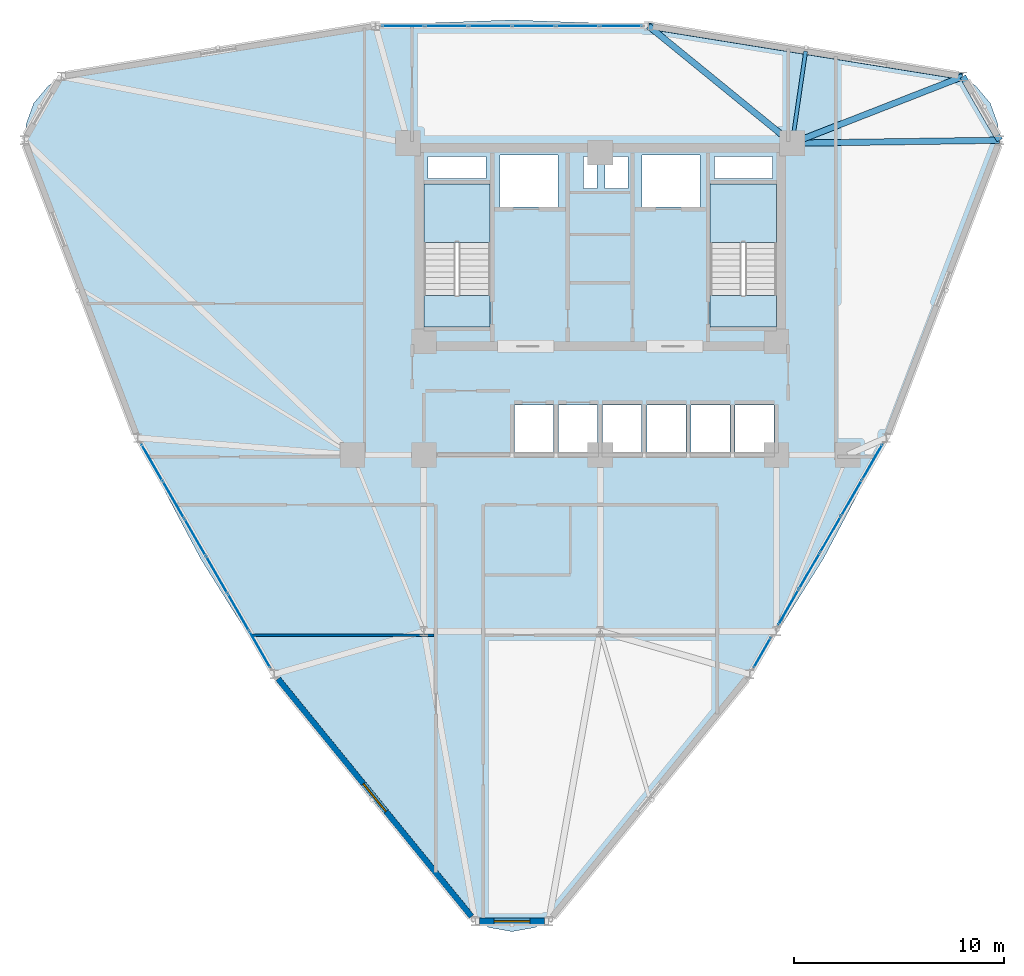
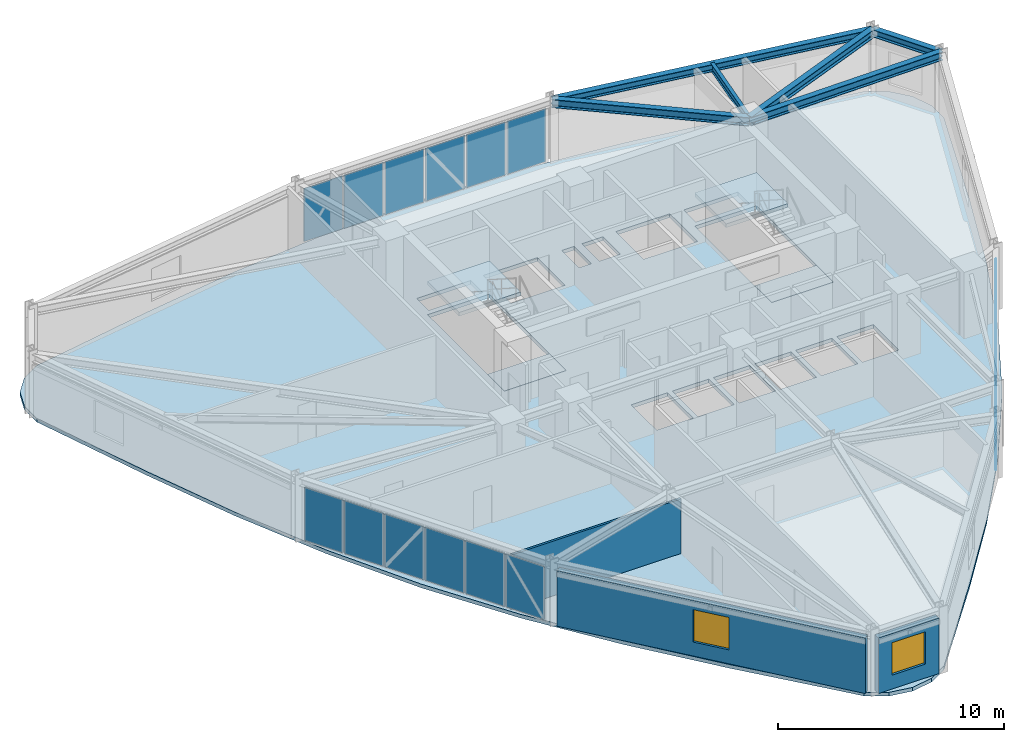
# One storey, part 9 of 15: 18 plates, 6 beams, 5 slabs, 3 walls, 2 windows, 2 openings, 6 elements without a shape of their own.
"""IFC4 building model written with IfcOpenShell, lengths in metres."""

from ifc_helpers import new_model, si_unit, derived_unit, direction, frame, frame_2d, origin, origin_2d, place, context, subcontext, project, spatial, polyline, rectangle, i_section, outline, extrude, source, transform, mapped, material, layer, layer_set, material_profile, profile_set, type_object, element, fill, aggregate, save


model = new_model("IFC4")

# Units and contexts
model_context = context("Model", 3, precision=1e-05, world=origin(), true_north=direction((0.0, 1.0)))
body_context = subcontext(model_context, "Body", "Model", "MODEL_VIEW")
ifc_project = project(units=[si_unit("LENGTHUNIT", "METRE"), si_unit("AREAUNIT", "SQUARE_METRE"), si_unit("VOLUMEUNIT", "CUBIC_METRE"), si_unit("PLANEANGLEUNIT", "RADIAN"), si_unit("MASSUNIT", "GRAM", prefix="KILO"), derived_unit("THERMALTRANSMITTANCEUNIT", [(si_unit("POWERUNIT", "WATT"), 1), (si_unit("LENGTHUNIT", "METRE"), -2), (si_unit("THERMODYNAMICTEMPERATUREUNIT", "KELVIN"), -1)])], contexts=[model_context])

# Site, building, storey
site_placement = place(None, origin())
site = spatial("IfcSite", under=ifc_project, at=site_placement, CompositionType="ELEMENT")
building_placement = place(site_placement, origin())
building = spatial("IfcBuilding", under=site, at=building_placement, Name="Korsvarv Bourse and Concert Hall", CompositionType="ELEMENT")
storey_placement = place(building_placement, frame((0.0, 0.0, 147.0)))
storey = spatial("IfcBuildingStorey", under=building, at=storey_placement, Name="L37", CompositionType="ELEMENT", Elevation=147.0)

# Beams
ifc_material_1 = material(Name="Steel S355", Category="steel")
ifc_material_profile_1 = material_profile(ifc_material_1, i_section(OverallWidth=0.300048828125, OverallDepth=0.39990234375, WebThickness=0.013427734375, FlangeThickness=0.02392578125, FilletRadius=0.02099609375, at=origin_2d()), Name="HEB 400")
ifc_profile_set_1 = profile_set([ifc_material_profile_1], Name="Steel S355")
beam_type_1 = type_object("IfcBeamType", Name="BM-HEB400", PredefinedType="SPANDREL", material=ifc_profile_set_1)
shared_shape_1 = source(origin(), body_context, "Body", "SweptSolid", [
    extrude(i_section(OverallWidth=0.300048828125, OverallDepth=0.39990234375, WebThickness=0.013427734375, FlangeThickness=0.02392578125, FilletRadius=0.02099609375, at=origin_2d()), origin(), (0.0, 0.0, 1.0), 3.505859375),
])
beam_1_placement = place(storey_placement, frame((55.033935546875, 47.39013671875, 3.199951171875), z_axis=(-0.500003763204, 0.866023231087, 0.0), x_axis=(-0.866023231087, -0.500003763204, 0.0)))
element("IfcBeam", 1, at=beam_1_placement, inside=storey, type_object=beam_type_1, Name="L37 beam B-09", PredefinedType="SPANDREL", context=body_context, shape_type="MappedRepresentation", body=[
    mapped(shared_shape_1, transform((0.0, 0.0, 0.0), scale=1.0)),
])
shared_shape_2 = source(origin(), body_context, "Body", "SweptSolid", [
    extrude(i_section(OverallWidth=0.300048828125, OverallDepth=0.39990234375, WebThickness=0.013427734375, FlangeThickness=0.02392578125, FilletRadius=0.02099609375, at=origin_2d()), origin(), (0.0, 0.0, 1.0), 15.1728515625),
])
beam_2_placement = place(storey_placement, frame((53.281005859375, 50.42626953125, 3.199951171875), z_axis=(-0.987303302505, 0.158846431694, 0.0), x_axis=(-0.158846431694, -0.987303302505, 0.0)))
element("IfcBeam", 2, at=beam_2_placement, inside=storey, type_object=beam_type_1, Name="L37 beam B-09", PredefinedType="SPANDREL", context=body_context, shape_type="MappedRepresentation", body=[
    mapped(shared_shape_2, transform((0.0, 0.0, 0.0), scale=1.0)),
])
ifc_material_profile_2 = material_profile(ifc_material_1, i_section(OverallWidth=0.300048828125, OverallDepth=0.449951171875, WebThickness=0.013916015625, FlangeThickness=0.02587890625, FilletRadius=0.02099609375, at=origin_2d()), Name="HEB 450")
ifc_profile_set_2 = profile_set([ifc_material_profile_2], Name="Steel S355")
beam_type_2 = type_object("IfcBeamType", Name="BM-HEB450", PredefinedType="SPANDREL", material=ifc_profile_set_2)
shared_shape_3 = source(origin(), body_context, "Body", "SweptSolid", [
    extrude(i_section(OverallWidth=0.300048828125, OverallDepth=0.449951171875, WebThickness=0.013916015625, FlangeThickness=0.02587890625, FilletRadius=0.02099609375, at=origin_2d()), origin(), (0.0, 0.0, 1.0), 9.885009765625),
])
beam_3_placement = place(storey_placement, frame((55.033935546875, 47.39013671875, 3.175048828125), z_axis=(-0.999899506023, -0.014176665838, 0.0), x_axis=(0.014176665838, -0.999899506023, 0.0)))
element("IfcBeam", 3, at=beam_3_placement, inside=storey, type_object=beam_type_2, Name="L37 beam B-08", PredefinedType="SPANDREL", context=body_context, shape_type="MappedRepresentation", body=[
    mapped(shared_shape_3, transform((0.0, 0.0, 0.0), scale=1.0)),
])
shared_shape_4 = source(origin(), body_context, "Body", "SweptSolid", [
    extrude(i_section(OverallWidth=0.300048828125, OverallDepth=0.449951171875, WebThickness=0.013916015625, FlangeThickness=0.02587890625, FilletRadius=0.02099609375, at=origin_2d()), origin(), (0.0, 0.0, 1.0), 8.7294921875),
])
beam_4_placement = place(storey_placement, frame((53.281005859375, 50.42626953125, 3.175048828125), z_axis=(-0.931455127945, -0.363856214219, 0.0), x_axis=(0.363856214219, -0.931455127945, 0.0)))
element("IfcBeam", 4, at=beam_4_placement, inside=storey, type_object=beam_type_2, Name="L37 beam B-08", PredefinedType="SPANDREL", context=body_context, shape_type="MappedRepresentation", body=[
    mapped(shared_shape_4, transform((0.0, 0.0, 0.0), scale=1.0)),
])
shared_shape_5 = source(origin(), body_context, "Body", "SweptSolid", [
    extrude(i_section(OverallWidth=0.300048828125, OverallDepth=0.449951171875, WebThickness=0.013916015625, FlangeThickness=0.02587890625, FilletRadius=0.02099609375, at=origin_2d()), origin(), (0.0, 0.0, 1.0), 8.83837890625),
])
beam_5_placement = place(storey_placement, frame((38.30078125, 52.83642578125, 3.175048828125), z_axis=(0.774921273398, -0.632057766375, 0.0), x_axis=(0.632057766375, 0.774921273398, 0.0)))
element("IfcBeam", 5, at=beam_5_placement, inside=storey, type_object=beam_type_2, Name="L37 beam B-08", PredefinedType="SPANDREL", context=body_context, shape_type="MappedRepresentation", body=[
    mapped(shared_shape_5, transform((0.0, 0.0, 0.0), scale=1.0)),
])
ifc_material_profile_3 = material_profile(ifc_material_1, i_section(OverallWidth=0.179931640625, OverallDepth=0.39990234375, WebThickness=0.008544921875, FlangeThickness=0.013427734375, FilletRadius=0.02099609375, at=origin_2d()), Name="IPE 400")
ifc_profile_set_3 = profile_set([ifc_material_profile_3], Name="Steel S355")
beam_type_3 = type_object("IfcBeamType", Name="BM-IPE400", PredefinedType="JOIST", material=ifc_profile_set_3)
shared_shape_6 = source(origin(), body_context, "Body", "SweptSolid", [
    extrude(i_section(OverallWidth=0.179931640625, OverallDepth=0.39990234375, WebThickness=0.008544921875, FlangeThickness=0.013427734375, FilletRadius=0.02099609375, at=origin_2d()), origin(), (0.0, 0.0, 1.0), 4.427978515625),
])
beam_6_placement = place(storey_placement, frame((45.791015625, 51.63134765625, 3.199951171875), z_axis=(-0.144786014359, -0.989462990741, 0.0), x_axis=(0.989462990741, -0.144786014359, 0.0)))
element("IfcBeam", 6, at=beam_6_placement, inside=storey, type_object=beam_type_3, Name="L37 beam J-05", PredefinedType="JOIST", context=body_context, shape_type="MappedRepresentation", body=[
    mapped(shared_shape_6, transform((0.0, 0.0, 0.0), scale=1.0)),
])

# Slabs
ifc_material_2 = material(Name="Precast concrete C45/55", Category="concrete")
ifc_layer_1 = layer(ifc_material_2, 0.199951171875)
ifc_layer_set_1 = layer_set([ifc_layer_1], Name="Precast concrete C45/55")
slab_type_1 = type_object("IfcSlabType", Name="SLB-FLND-T", PredefinedType="LANDING", material=ifc_layer_set_1)
slab_1_placement = place(storey_placement, frame((0.0, 0.0, -0.199951171875)))
element("IfcSlab", 7, at=slab_1_placement, inside=storey, type_object=slab_type_1, Name="L37 Stair ST-T1 Floor Landing Slab", PredefinedType="LANDING", context=body_context, shape_type="SweptSolid", body=[
    extrude(outline(polyline([(30.760009765625, 38.5), (30.760009765625, 40.0), (27.60009765625, 40.0), (27.60009765625, 38.5), (30.760009765625, 38.5)])), origin(), (0.0, 0.0, 1.0), 0.199951171875),
])
slab_2_placement = place(storey_placement, frame((0.0, 0.0, -0.199951171875)))
element("IfcSlab", 8, at=slab_2_placement, inside=storey, type_object=slab_type_1, Name="L37 Stair ST-T2 Floor Landing Slab", PredefinedType="LANDING", context=body_context, shape_type="SweptSolid", body=[
    extrude(outline(polyline([(44.39990234375, 38.5), (44.39990234375, 40.0), (41.239990234375, 40.0), (41.239990234375, 38.5), (44.39990234375, 38.5)])), origin(), (0.0, 0.0, 1.0), 0.199951171875),
])

# Stair, slab
stair_type = type_object("IfcStairType", Name="STR-TYPE-04", PredefinedType="HALF_TURN_STAIR", material=ifc_material_2)
stair_1_placement = place(storey_placement, origin())
stair_1 = element("IfcStair", 9, at=stair_1_placement, inside=storey, type_object=stair_type, Name="L37 Tower West Exit Stair ST-T1", PredefinedType="HALF_TURN_STAIR")
ifc_layer_2 = layer(ifc_material_2, 0.199951171875)
ifc_layer_set_2 = layer_set([ifc_layer_2], Name="Precast concrete C45/55")
slab_type_2 = type_object("IfcSlabType", Name="SLB-ST-LND", PredefinedType="LANDING", material=ifc_layer_set_2)
slab_3_placement = place(storey_placement, frame((0.0, 0.0, 1.60009765625)))
slab_3 = element("IfcSlab", 10, at=slab_3_placement, type_object=slab_type_2, Name="ST-T1 landing 1", PredefinedType="LANDING", context=body_context, shape_type="SweptSolid", body=[
    extrude(outline(polyline([(30.760009765625, 42.52001953125), (30.760009765625, 45.300048828125), (27.60009765625, 45.300048828125), (27.60009765625, 42.52001953125), (30.760009765625, 42.52001953125)])), origin(), (0.0, 0.0, 1.0), 0.199951171875),
])
aggregate(stair_1, [slab_3])

stair_2_placement = place(storey_placement, origin())
stair_2 = element("IfcStair", 11, at=stair_2_placement, inside=storey, type_object=stair_type, Name="L37 Tower East Exit Stair ST-T2", PredefinedType="HALF_TURN_STAIR")
slab_4_placement = place(storey_placement, frame((0.0, 0.0, 1.60009765625)))
slab_4 = element("IfcSlab", 12, at=slab_4_placement, type_object=slab_type_2, Name="ST-T2 landing 1", PredefinedType="LANDING", context=body_context, shape_type="SweptSolid", body=[
    extrude(outline(polyline([(44.39990234375, 42.52001953125), (44.39990234375, 45.300048828125), (41.239990234375, 45.300048828125), (41.239990234375, 42.52001953125), (44.39990234375, 42.52001953125)])), origin(), (0.0, 0.0, 1.0), 0.199951171875),
])
aggregate(stair_2, [slab_4])

# Slab
ifc_material_3 = material(Name="Concrete C45/55", Category="concrete")
ifc_layer_3 = layer(ifc_material_3, 0.199951171875)
ifc_layer_set_3 = layer_set([ifc_layer_3], Name="Concrete C45/55")
slab_type_3 = type_object("IfcSlabType", Name="SLB-TW2", PredefinedType="FLOOR", material=ifc_layer_set_3)
slab_5_placement = place(storey_placement, frame((0.0, 0.0, -0.199951171875)))
element("IfcSlab", 13, at=slab_5_placement, inside=storey, type_object=slab_type_3, Name="L37 tower structural floor slab", PredefinedType="FLOOR", context=body_context, shape_type="SweptSolid", body=[
    extrude(outline(polyline([(54.530517578125, 45.832763671875), (52.81396484375, 41.052978515625), (50.986083984375, 36.362548828125), (48.9462890625, 31.814697265625), (46.626220703125, 27.440185546875), (43.997802734375, 23.243408203125), (41.0791015625, 19.203125), (37.930908203125, 15.27490234375), (34.64990234375, 11.398193359375), (34.6474609375, 11.3955078125), (33.83935546875, 10.4326171875), (32.88525390625, 9.881591796875), (31.800048828125, 9.690185546875), (30.71484375, 9.881591796875), (29.760498046875, 10.4326171875), (28.95263671875, 11.3955078125), (28.9501953125, 11.398193359375), (25.669189453125, 15.27490234375), (22.52099609375, 19.203125), (19.602294921875, 23.243408203125), (16.973876953125, 27.440185546875), (14.653564453125, 31.814697265625), (12.614013671875, 36.362548828125), (10.7861328125, 41.052978515625), (9.069580078125, 45.832763671875), (9.068115234375, 45.83642578125), (8.63818359375, 47.017578125), (8.63818359375, 48.119384765625), (9.01513671875, 49.15478515625), (9.723388671875, 49.9990234375), (10.677490234375, 50.5498046875), (11.91552734375, 50.768310546875), (11.919189453125, 50.768798828125), (16.9169921875, 51.671875), (21.892822265625, 52.434326171875), (26.851318359375, 52.94189453125), (31.800048828125, 53.11962890625), (36.74853515625, 52.94189453125), (41.70703125, 52.434326171875), (46.68310546875, 51.671875), (51.6806640625, 50.768798828125), (51.684326171875, 50.768310546875), (52.92236328125, 50.5498046875), (53.876708984375, 49.9990234375), (54.5849609375, 49.15478515625), (54.9619140625, 48.119384765625), (54.9619140625, 47.017578125), (54.53173828125, 45.83642578125), (54.530517578125, 45.832763671875)]), holes=[polyline([(30.760009765625, 38.5), (30.760009765625, 45.300048828125), (27.60009765625, 45.300048828125), (27.60009765625, 38.5), (30.760009765625, 38.5)]), polyline([(44.39990234375, 38.5), (44.39990234375, 45.300048828125), (41.239990234375, 45.300048828125), (41.239990234375, 38.5), (44.39990234375, 38.5)]), polyline([(31.239990234375, 44.219970703125), (34.0, 44.219970703125), (34.0, 46.679931640625), (31.239990234375, 46.679931640625), (31.239990234375, 44.219970703125)]), polyline([(38.0, 44.219970703125), (40.760009765625, 44.219970703125), (40.760009765625, 46.679931640625), (38.0, 46.679931640625), (38.0, 44.219970703125)]), polyline([(31.919921875, 32.52001953125), (33.780029296875, 32.52001953125), (33.780029296875, 34.780029296875), (31.919921875, 34.780029296875), (31.919921875, 32.52001953125)]), polyline([(34.02001953125, 32.52001953125), (35.8798828125, 32.52001953125), (35.8798828125, 34.780029296875), (34.02001953125, 34.780029296875), (34.02001953125, 32.52001953125)]), polyline([(36.1201171875, 32.52001953125), (37.97998046875, 32.52001953125), (37.97998046875, 34.780029296875), (36.1201171875, 34.780029296875), (36.1201171875, 32.52001953125)]), polyline([(38.219970703125, 32.52001953125), (40.080078125, 32.52001953125), (40.080078125, 34.780029296875), (38.219970703125, 34.780029296875), (38.219970703125, 32.52001953125)]), polyline([(40.320068359375, 32.52001953125), (42.179931640625, 32.52001953125), (42.179931640625, 34.780029296875), (40.320068359375, 34.780029296875), (40.320068359375, 32.52001953125)]), polyline([(42.419921875, 32.52001953125), (44.280029296875, 32.52001953125), (44.280029296875, 34.780029296875), (42.419921875, 34.780029296875), (42.419921875, 32.52001953125)]), polyline([(27.800048828125, 45.56005859375), (30.56005859375, 45.56005859375), (30.56005859375, 46.6201171875), (27.800048828125, 46.6201171875), (27.800048828125, 45.56005859375)]), polyline([(41.43994140625, 45.56005859375), (44.199951171875, 45.56005859375), (44.199951171875, 46.6201171875), (41.43994140625, 46.6201171875), (41.43994140625, 45.56005859375)]), polyline([(35.199951171875, 45.080078125), (35.840087890625, 45.080078125), (35.840087890625, 46.6201171875), (35.199951171875, 46.6201171875), (35.199951171875, 45.080078125)]), polyline([(36.239990234375, 45.080078125), (37.320068359375, 45.080078125), (37.320068359375, 46.6201171875), (36.239990234375, 46.6201171875), (36.239990234375, 45.080078125)])]), origin(), (0.0, 0.0, 1.0), 0.199951171875),
])

# Curtain wall, plates
ifc_material_4 = material(Name="Anodised aluminium and triple low-E glazing", Category="glass")
ifc_layer_4 = layer(ifc_material_4, 0.2099609375)
ifc_layer_set_4 = layer_set([ifc_layer_4], Name="Anodised aluminium and triple low-E glazing")
curtain_wall_type = type_object("IfcCurtainWallType", Name="CW-SYS-2", PredefinedType="NOTDEFINED", material=ifc_layer_set_4)
curtain_wall_1_placement = place(storey_placement, origin())
curtain_wall_1 = element("IfcCurtainWall", 14, at=curtain_wall_1_placement, inside=storey, type_object=curtain_wall_type, Name="L37 CW2 curtain wall CW-L37-F11-2", PredefinedType="NOTDEFINED")
ifc_material_5 = material(Name="Tempered triple insulated low-E architectural glass", Category="glass")
ifc_layer_5 = layer(ifc_material_5, 0.0380859375)
ifc_layer_set_5 = layer_set([ifc_layer_5], Name="Tempered triple insulated low-E architectural glass")
plate_type_1 = type_object("IfcPlateType", Name="CWP-VIS2", PredefinedType="CURTAIN_PANEL", material=ifc_layer_set_5)
shared_shape_7 = source(origin(), body_context, "Body", "SweptSolid", [
    extrude(rectangle(XDim=1.898681640625, YDim=0.0380859375, at=origin_2d()), origin(), (0.0, 0.0, 1.0), 2.8701171875),
])
plate_1_placement = place(storey_placement, frame((44.97705078125, 25.150390625, 0.06494140625), z_axis=(0.0, 0.0, 1.0), x_axis=(0.500004690206, 0.866022695876, 0.0)))
plate_1 = element("IfcPlate", 15, at=plate_1_placement, type_object=plate_type_1, Name="CW2 faceted panel 1.1", PredefinedType="CURTAIN_PANEL", context=body_context, shape_type="MappedRepresentation", body=[
    mapped(shared_shape_7, transform((0.0, 0.0, 0.0), scale=1.0)),
])
plate_2_placement = place(storey_placement, frame((48.967041015625, 32.061279296875, 0.06494140625), z_axis=(0.0, 0.0, 1.0), x_axis=(0.500004690206, 0.866022695876, 0.0)))
plate_2 = element("IfcPlate", 16, at=plate_2_placement, type_object=plate_type_1, Name="CW2 faceted panel 5.1", PredefinedType="CURTAIN_PANEL", context=body_context, shape_type="MappedRepresentation", body=[
    mapped(shared_shape_7, transform((0.0, 0.0, 0.0), scale=1.0)),
])

curtain_wall_2_placement = place(storey_placement, origin())
curtain_wall_2 = element("IfcCurtainWall", 17, at=curtain_wall_2_placement, inside=storey, type_object=curtain_wall_type, Name="L37 CW2 curtain wall CW-L37-F03", PredefinedType="NOTDEFINED")
shared_shape_8 = source(origin(), body_context, "Body", "SweptSolid", [
    extrude(rectangle(XDim=1.9765625, YDim=0.0380859375, at=origin_2d()), origin(), (0.0, 0.0, 1.0), 2.8701171875),
])
plate_3_placement = place(storey_placement, frame((36.986572265625, 52.83642578125, 0.06494140625), z_axis=(0.0, 0.0, 1.0), x_axis=(-1.0, 0.0, 0.0)))
plate_3 = element("IfcPlate", 18, at=plate_3_placement, type_object=plate_type_1, Name="CW2 faceted panel 1.1", PredefinedType="CURTAIN_PANEL", context=body_context, shape_type="MappedRepresentation", body=[
    mapped(shared_shape_8, transform((0.0, 0.0, 0.0), scale=1.0)),
])
shared_shape_9 = source(origin(), body_context, "Body", "SweptSolid", [
    extrude(rectangle(XDim=2.01171875, YDim=0.0380859375, at=origin_2d()), origin(), (0.0, 0.0, 1.0), 2.8701171875),
])
plate_4_placement = place(storey_placement, frame((34.92236328125, 52.83642578125, 0.06494140625), z_axis=(0.0, 0.0, 1.0), x_axis=(-1.0, 0.0, 0.0)))
plate_4 = element("IfcPlate", 19, at=plate_4_placement, type_object=plate_type_1, Name="CW2 faceted panel 2.1", PredefinedType="CURTAIN_PANEL", context=body_context, shape_type="MappedRepresentation", body=[
    mapped(shared_shape_9, transform((0.0, 0.0, 0.0), scale=1.0)),
])
plate_5_placement = place(storey_placement, frame((30.75927734375, 52.83642578125, 0.06494140625), z_axis=(0.0, 0.0, 1.0), x_axis=(-1.0, 0.0, 0.0)))
plate_5 = element("IfcPlate", 20, at=plate_5_placement, type_object=plate_type_1, Name="CW2 faceted panel 4.1", PredefinedType="CURTAIN_PANEL", context=body_context, shape_type="MappedRepresentation", body=[
    mapped(shared_shape_9, transform((0.0, 0.0, 0.0), scale=1.0)),
])
plate_6_placement = place(storey_placement, frame((28.677490234375, 52.83642578125, 0.06494140625), z_axis=(0.0, 0.0, 1.0), x_axis=(-1.0, 0.0, 0.0)))
plate_6 = element("IfcPlate", 21, at=plate_6_placement, type_object=plate_type_1, Name="CW2 faceted panel 5.1", PredefinedType="CURTAIN_PANEL", context=body_context, shape_type="MappedRepresentation", body=[
    mapped(shared_shape_9, transform((0.0, 0.0, 0.0), scale=1.0)),
])
ifc_material_6 = material(Name="Insulated spandrel glass", Category="glass")
ifc_layer_6 = layer(ifc_material_6, 0.031982421875)
ifc_layer_set_6 = layer_set([ifc_layer_6], Name="Insulated spandrel glass")
plate_type_2 = type_object("IfcPlateType", Name="CWP-SPD1", PredefinedType="CURTAIN_PANEL", material=ifc_layer_set_6)
shared_shape_10 = source(origin(), body_context, "Body", "SweptSolid", [
    extrude(rectangle(XDim=2.01171875, YDim=0.031982421875, at=origin_2d()), origin(), (0.0, 0.0, 1.0), 2.8701171875),
])
plate_7_placement = place(storey_placement, frame((32.8408203125, 52.83642578125, 0.06494140625), z_axis=(0.0, 0.0, 1.0), x_axis=(-1.0, 0.0, 0.0)))
plate_7 = element("IfcPlate", 22, at=plate_7_placement, type_object=plate_type_2, Name="CW2 spandrel shadow-box panel 3.1", PredefinedType="CURTAIN_PANEL", context=body_context, shape_type="MappedRepresentation", body=[
    mapped(shared_shape_10, transform((0.0, 0.0, 0.0), scale=1.0)),
])
shared_shape_11 = source(origin(), body_context, "Body", "SweptSolid", [
    extrude(rectangle(XDim=1.9765625, YDim=0.031982421875, at=origin_2d()), origin(), (0.0, 0.0, 1.0), 2.8701171875),
])
plate_8_placement = place(storey_placement, frame((26.613525390625, 52.83642578125, 0.06494140625), z_axis=(0.0, 0.0, 1.0), x_axis=(-1.0, 0.0, 0.0)))
plate_8 = element("IfcPlate", 23, at=plate_8_placement, type_object=plate_type_2, Name="CW2 spandrel shadow-box panel 6.1", PredefinedType="CURTAIN_PANEL", context=body_context, shape_type="MappedRepresentation", body=[
    mapped(shared_shape_11, transform((0.0, 0.0, 0.0), scale=1.0)),
])
aggregate(curtain_wall_2, [plate_3, plate_4, plate_7, plate_5, plate_6, plate_8])

curtain_wall_3_placement = place(storey_placement, origin())
curtain_wall_3 = element("IfcCurtainWall", 24, at=curtain_wall_3_placement, inside=storey, type_object=curtain_wall_type, Name="L37 CW2 curtain wall CW-L37-F07", PredefinedType="NOTDEFINED")
shared_shape_12 = source(origin(), body_context, "Body", "SweptSolid", [
    extrude(rectangle(XDim=1.958984375, YDim=0.0380859375, at=origin_2d()), origin(), (0.0, 0.0, 1.0), 2.8701171875),
])
plate_9_placement = place(storey_placement, frame((14.64794921875, 32.03515625, 0.06494140625), z_axis=(0.0, 0.0, 1.0), x_axis=(0.500005545591, -0.866022202013, 0.0)))
plate_9 = element("IfcPlate", 25, at=plate_9_placement, type_object=plate_type_1, Name="CW2 faceted panel 1.1", PredefinedType="CURTAIN_PANEL", context=body_context, shape_type="MappedRepresentation", body=[
    mapped(shared_shape_12, transform((0.0, 0.0, 0.0), scale=1.0)),
])
shared_shape_13 = source(origin(), body_context, "Body", "SweptSolid", [
    extrude(rectangle(XDim=1.993896484375, YDim=0.0380859375, at=origin_2d()), origin(), (0.0, 0.0, 1.0), 2.8701171875),
])
plate_10_placement = place(storey_placement, frame((15.671142578125, 30.262939453125, 0.06494140625), z_axis=(0.0, 0.0, 1.0), x_axis=(0.500005545591, -0.866022202013, 0.0)))
plate_10 = element("IfcPlate", 26, at=plate_10_placement, type_object=plate_type_1, Name="CW2 faceted panel 2.1", PredefinedType="CURTAIN_PANEL", context=body_context, shape_type="MappedRepresentation", body=[
    mapped(shared_shape_13, transform((0.0, 0.0, 0.0), scale=1.0)),
])
plate_11_placement = place(storey_placement, frame((17.735107421875, 26.68798828125, 0.06494140625), z_axis=(0.0, 0.0, 1.0), x_axis=(0.500005545591, -0.866022202013, 0.0)))
plate_11 = element("IfcPlate", 27, at=plate_11_placement, type_object=plate_type_1, Name="CW2 faceted panel 4.1", PredefinedType="CURTAIN_PANEL", context=body_context, shape_type="MappedRepresentation", body=[
    mapped(shared_shape_13, transform((0.0, 0.0, 0.0), scale=1.0)),
])
plate_12_placement = place(storey_placement, frame((18.76708984375, 24.900634765625, 0.06494140625), z_axis=(0.0, 0.0, 1.0), x_axis=(0.500005545591, -0.866022202013, 0.0)))
plate_12 = element("IfcPlate", 28, at=plate_12_placement, type_object=plate_type_1, Name="CW2 faceted panel 5.1", PredefinedType="CURTAIN_PANEL", context=body_context, shape_type="MappedRepresentation", body=[
    mapped(shared_shape_13, transform((0.0, 0.0, 0.0), scale=1.0)),
])
shared_shape_14 = source(origin(), body_context, "Body", "SweptSolid", [
    extrude(rectangle(XDim=1.993896484375, YDim=0.031982421875, at=origin_2d()), origin(), (0.0, 0.0, 1.0), 2.8701171875),
])
plate_13_placement = place(storey_placement, frame((16.703125, 28.4755859375, 0.06494140625), z_axis=(0.0, 0.0, 1.0), x_axis=(0.500005545591, -0.866022202013, 0.0)))
plate_13 = element("IfcPlate", 29, at=plate_13_placement, type_object=plate_type_2, Name="CW2 spandrel shadow-box panel 3.1", PredefinedType="CURTAIN_PANEL", context=body_context, shape_type="MappedRepresentation", body=[
    mapped(shared_shape_14, transform((0.0, 0.0, 0.0), scale=1.0)),
])
shared_shape_15 = source(origin(), body_context, "Body", "SweptSolid", [
    extrude(rectangle(XDim=1.958984375, YDim=0.031982421875, at=origin_2d()), origin(), (0.0, 0.0, 1.0), 2.8701171875),
])
plate_14_placement = place(storey_placement, frame((19.79052734375, 23.128173828125, 0.06494140625), z_axis=(0.0, 0.0, 1.0), x_axis=(0.500005545591, -0.866022202013, 0.0)))
plate_14 = element("IfcPlate", 30, at=plate_14_placement, type_object=plate_type_2, Name="CW2 spandrel shadow-box panel 6.1", PredefinedType="CURTAIN_PANEL", context=body_context, shape_type="MappedRepresentation", body=[
    mapped(shared_shape_15, transform((0.0, 0.0, 0.0), scale=1.0)),
])
aggregate(curtain_wall_3, [plate_9, plate_10, plate_13, plate_11, plate_12, plate_14])

# Curtain wall, plate
curtain_wall_4_placement = place(storey_placement, origin())
curtain_wall_4 = element("IfcCurtainWall", 31, at=curtain_wall_4_placement, inside=storey, type_object=curtain_wall_type, Name="L37 CW2 curtain wall CW-L37-F11-1", PredefinedType="NOTDEFINED")
shared_shape_16 = source(origin(), body_context, "Body", "SweptSolid", [
    extrude(rectangle(XDim=1.607177734375, YDim=0.031982421875, at=origin_2d()), origin(), (0.0, 0.0, 1.0), 2.8701171875),
])
plate_15_placement = place(storey_placement, frame((43.7216796875, 22.975830078125, 0.06494140625), z_axis=(0.0, 0.0, 1.0), x_axis=(0.500004853961, 0.866022601331, 0.0)))
plate_15 = element("IfcPlate", 32, at=plate_15_placement, type_object=plate_type_2, Name="CW2 spandrel shadow-box panel 1.1", PredefinedType="CURTAIN_PANEL", context=body_context, shape_type="MappedRepresentation", body=[
    mapped(shared_shape_16, transform((0.0, 0.0, 0.0), scale=1.0)),
])
aggregate(curtain_wall_4, [plate_15])

# Plate
shared_shape_17 = source(origin(), body_context, "Body", "SweptSolid", [
    extrude(rectangle(XDim=1.933837890625, YDim=0.0380859375, at=origin_2d()), origin(), (0.0, 0.0, 1.0), 2.8701171875),
])
plate_16_placement = place(storey_placement, frame((45.97021484375, 26.870361328125, 0.06494140625), z_axis=(0.0, 0.0, 1.0), x_axis=(0.500004690206, 0.866022695876, 0.0)))
plate_16 = element("IfcPlate", 33, at=plate_16_placement, type_object=plate_type_1, Name="CW2 faceted panel 2.1", PredefinedType="CURTAIN_PANEL", context=body_context, shape_type="MappedRepresentation", body=[
    mapped(shared_shape_17, transform((0.0, 0.0, 0.0), scale=1.0)),
])

plate_17_placement = place(storey_placement, frame((47.973876953125, 30.341064453125, 0.06494140625), z_axis=(0.0, 0.0, 1.0), x_axis=(0.500004690206, 0.866022695876, 0.0)))
plate_17 = element("IfcPlate", 34, at=plate_17_placement, type_object=plate_type_1, Name="CW2 faceted panel 4.1", PredefinedType="CURTAIN_PANEL", context=body_context, shape_type="MappedRepresentation", body=[
    mapped(shared_shape_17, transform((0.0, 0.0, 0.0), scale=1.0)),
])

shared_shape_18 = source(origin(), body_context, "Body", "SweptSolid", [
    extrude(rectangle(XDim=1.933837890625, YDim=0.031982421875, at=origin_2d()), origin(), (0.0, 0.0, 1.0), 2.8701171875),
])
plate_18_placement = place(storey_placement, frame((46.97216796875, 28.605712890625, 0.06494140625), z_axis=(0.0, 0.0, 1.0), x_axis=(0.500004690206, 0.866022695876, 0.0)))
plate_18 = element("IfcPlate", 35, at=plate_18_placement, type_object=plate_type_2, Name="CW2 spandrel shadow-box panel 3.1", PredefinedType="CURTAIN_PANEL", context=body_context, shape_type="MappedRepresentation", body=[
    mapped(shared_shape_18, transform((0.0, 0.0, 0.0), scale=1.0)),
])

aggregate(curtain_wall_1, [plate_1, plate_16, plate_18, plate_17, plate_2])

# Wall, opening, window
ifc_material_7 = material(Name="Precast concrete C45/55 with terracotta rainscreen", Category="concrete")
ifc_layer_7 = layer(ifc_material_7, 0.300048828125)
ifc_layer_set_7 = layer_set([ifc_layer_7], Name="Precast concrete C45/55 with terracotta rainscreen")
wall_type_1 = type_object("IfcWallType", Name="WL-EXT-TC1", PredefinedType="SOLIDWALL", material=ifc_layer_set_7)
wall_1_placement = place(storey_placement, frame((30.258056640625, 10.183837890625, 0.0), z_axis=(0.0, 0.0, 1.0), x_axis=(1.0, 0.0, 0.0)))
wall_1 = element("IfcWall", 36, at=wall_1_placement, inside=storey, type_object=wall_type_1, Name="L37 terracotta exterior wall EW-L37-B09", PredefinedType="SOLIDWALL", context=body_context, shape_type="SweptSolid", body=[
    extrude(rectangle(XDim=3.083740234375, YDim=0.300048828125, at=frame_2d((1.5419921875, 0.0))), origin(), (0.0, 0.0, 1.0), 3.0),
])
opening_1_placement = place(wall_1_placement, frame((0.69189453125, 0.0, 0.75)))
opening_1 = element("IfcOpeningElement", 37, at=opening_1_placement, cuts=wall_1, Name="Opening W-01", PredefinedType="OPENING", context=body_context, shape_type="SweptSolid", body=[
    extrude(rectangle(XDim=1.699951171875, YDim=1.75, at=frame_2d((0.85009765625, 0.875))), frame((0.0, 0.16015625, 0.0), z_axis=(0.0, -1.0, 0.0), x_axis=(1.0, 0.0, 0.0)), (0.0, 0.0, 1.0), 0.320068359375),
])
ifc_material_8 = material(Name="Thermally broken aluminium frame with triple low-E glass", Category="glass")
window_type = type_object("IfcWindowType", Name="WIN-TW1", PartitioningType="SINGLE_PANEL", PredefinedType="WINDOW", material=ifc_material_8)
window_1_placement = place(opening_1_placement, origin())
window_1 = element("IfcWindow", 38, at=window_1_placement, inside=storey, type_object=window_type, Name="L37 punched facade window W-01", OverallHeight=1.75, OverallWidth=1.699951171875, PartitioningType="SINGLE_PANEL", PredefinedType="WINDOW", context=body_context, shape_type="SweptSolid", body=[
    extrude(rectangle(XDim=1.699951171875, YDim=1.75, at=frame_2d((0.85009765625, 0.875))), frame((0.0, 0.030029296875, 0.0), z_axis=(0.0, -1.0, 0.0), x_axis=(1.0, 0.0, 0.0)), (0.0, 0.0, 1.0), 0.06005859375),
])
fill(opening_1, window_1)

ifc_material_9 = material(Name="Precast concrete C45/55 with fluted terracotta pier", Category="concrete")
ifc_layer_8 = layer(ifc_material_9, 0.280029296875)
ifc_layer_set_8 = layer_set([ifc_layer_8], Name="Precast concrete C45/55 with fluted terracotta pier")
wall_type_2 = type_object("IfcWallType", Name="WL-EXT-TC2", PredefinedType="SOLIDWALL", material=ifc_layer_set_8)
wall_2_placement = place(storey_placement, frame((20.650634765625, 21.7294921875, 0.0), z_axis=(0.0, 0.0, 1.0), x_axis=(0.631219465915, -0.775604271423, 0.0)))
wall_2 = element("IfcWall", 39, at=wall_2_placement, inside=storey, type_object=wall_type_2, Name="L37 terracotta exterior wall EW-L37-B08", PredefinedType="SOLIDWALL", context=body_context, shape_type="SweptSolid", body=[
    extrude(rectangle(XDim=14.599365234375, YDim=0.280029296875, at=frame_2d((7.2998046875, 0.0))), origin(), (0.0, 0.0, 1.0), 3.0),
])
opening_2_placement = place(wall_2_placement, frame((6.44970703125, 0.0, 0.75)))
opening_2 = element("IfcOpeningElement", 40, at=opening_2_placement, cuts=wall_2, Name="Opening W-01", PredefinedType="OPENING", context=body_context, shape_type="SweptSolid", body=[
    extrude(rectangle(XDim=1.699951171875, YDim=1.75, at=frame_2d((0.85009765625, 0.875))), frame((0.0, 0.14990234375, 0.0), z_axis=(0.0, -1.0, 0.0), x_axis=(1.0, 0.0, 0.0)), (0.0, 0.0, 1.0), 0.300048828125),
])
window_2_placement = place(opening_2_placement, origin())
window_2 = element("IfcWindow", 41, at=window_2_placement, inside=storey, type_object=window_type, Name="L37 punched facade window W-01", OverallHeight=1.75, OverallWidth=1.699951171875, PartitioningType="SINGLE_PANEL", PredefinedType="WINDOW", context=body_context, shape_type="SweptSolid", body=[
    extrude(rectangle(XDim=1.699951171875, YDim=1.75, at=frame_2d((0.85009765625, 0.875))), frame((0.0, 0.030029296875, 0.0), z_axis=(0.0, -1.0, 0.0), x_axis=(1.0, 0.0, 0.0)), (0.0, 0.0, 1.0), 0.06005859375),
])
fill(opening_2, window_2)

# Wall
ifc_material_10 = material(Name="Demountable acoustic glass and aluminium dealing partition", Category="aluminium")
ifc_layer_9 = layer(ifc_material_10, 0.110107421875)
ifc_layer_set_9 = layer_set([ifc_layer_9], Name="Demountable acoustic glass and aluminium dealing partition")
wall_type_3 = type_object("IfcWallType", Name="WL-INT-MOV", PredefinedType="MOVABLE", material=ifc_layer_set_9)
wall_3_placement = place(storey_placement, frame((19.419677734375, 23.804931640625, 0.0), z_axis=(0.0, 0.0, 1.0), x_axis=(1.0, 0.0, 0.0)))
element("IfcWall", 42, at=wall_3_placement, inside=storey, type_object=wall_type_3, Name="L37 interior partition wall W-L37-TCOR-14", PredefinedType="MOVABLE", context=body_context, shape_type="SweptSolid", body=[
    extrude(rectangle(XDim=8.67333984375, YDim=0.110107421875, at=frame_2d((4.336669921875, 0.0))), origin(), (0.0, 0.0, 1.0), 2.949951171875),
])

save(model, "model.ifc")
